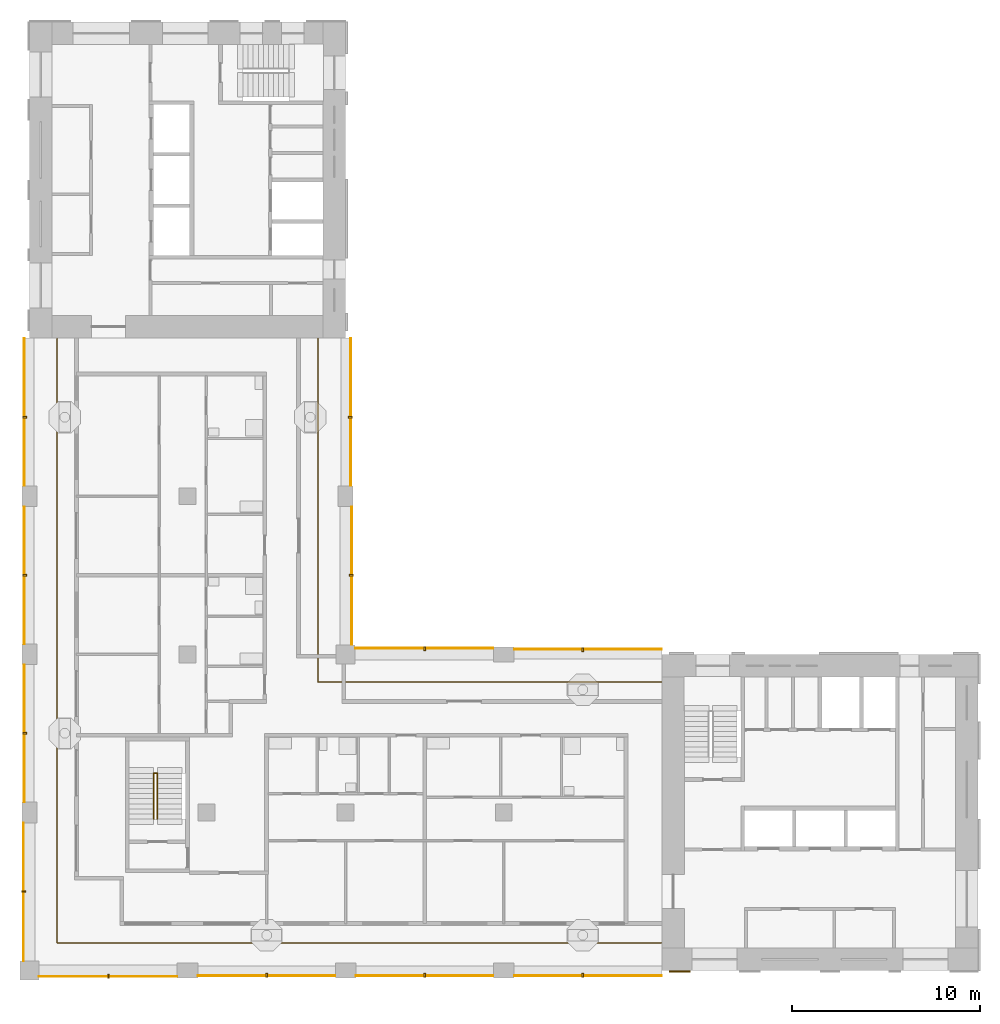
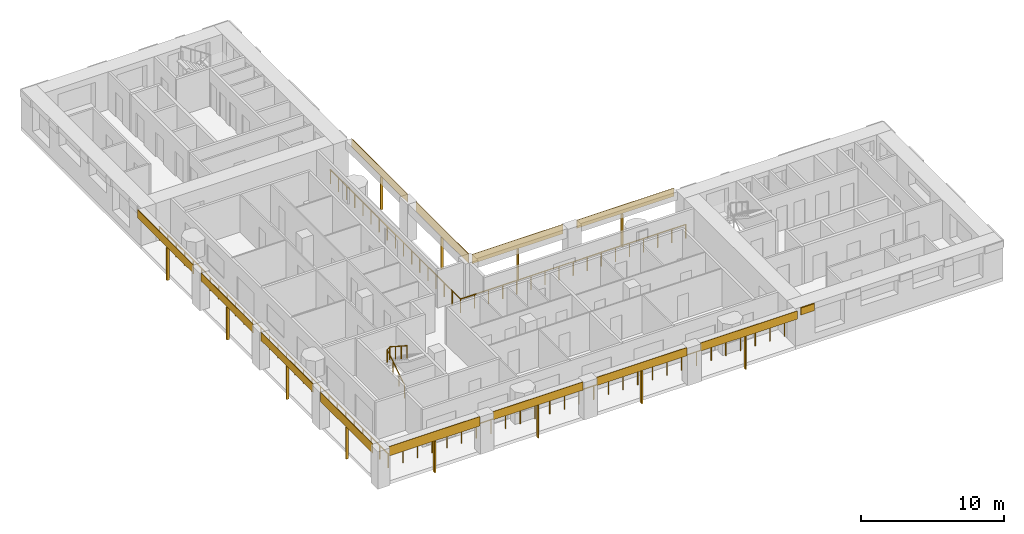
# One storey, part 8 of 12: 25 shading devices, 3 railings.
"""IFC4 building model written with IfcOpenShell, lengths in metres."""

from ifc_helpers import new_model, si_unit, direction, frame, origin, origin_2d, place, context, subcontext, project, spatial, rectangle, circle, extrude, material, layer, layer_set, material_profile, profile_set, type_object, element, save


model = new_model("IFC4")

# Units and contexts
model_context = context("Model", 3, precision=1e-05, world=origin(), true_north=direction((0.0, 1.0)))
body_context = subcontext(model_context, "Body", "Model", "MODEL_VIEW")
ifc_project = project(units=[si_unit("LENGTHUNIT", "METRE"), si_unit("AREAUNIT", "SQUARE_METRE"), si_unit("VOLUMEUNIT", "CUBIC_METRE"), si_unit("PLANEANGLEUNIT", "RADIAN"), si_unit("MASSUNIT", "GRAM", prefix="KILO")], contexts=[model_context])

# Site, building, storey
site_placement = place(None, origin())
site = spatial("IfcSite", under=ifc_project, at=site_placement, CompositionType="ELEMENT")
building_placement = place(site_placement, origin())
building = spatial("IfcBuilding", under=site, at=building_placement, Name="Vermilion Gate Residences", CompositionType="ELEMENT")
storey_placement = place(building_placement, frame((0.0, 0.0, 221.199951171875)))
storey = spatial("IfcBuildingStorey", under=building, at=storey_placement, Name="L57", CompositionType="ELEMENT", Elevation=221.199951171875)

# Railings
ifc_material_1 = material(Name="Stainless steel and toughened glass", Category="steel")
railing_type_1 = type_object("IfcRailingType", Name="LOGGIA GUARD STEEL AND GLASS 1200", PredefinedType="GUARDRAIL", material=ifc_material_1)
railing_1_placement = place(storey_placement, frame((41.97802734375, 23.72509765625, 0.0)))
element("IfcRailing", 1, at=railing_1_placement, inside=storey, type_object=railing_type_1, Name="Loggia guard", PredefinedType="GUARDRAIL", context=body_context, shape_type="SweptSolid", body=[
    extrude(circle(Radius=0.030029296875, at=origin_2d()), frame((0.0, 0.0, 1.169921875), z_axis=(-1.0, 0.0, 0.0), x_axis=(0.0, -1.0, 0.0)), (0.0, 0.0, 1.0), 18.2529296875),
    extrude(circle(Radius=0.030029296875, at=origin_2d()), frame((-18.2529296875, 0.0, 1.169921875), z_axis=(0.0, 1.0, 0.0), x_axis=(-1.0, 0.0, 0.0)), (0.0, 0.0, 1.0), 18.2529296875),
    extrude(circle(Radius=0.02490234375, at=origin_2d()), origin(), (0.0, 0.0, 1.0), 1.139892578125),
    extrude(circle(Radius=0.02490234375, at=origin_2d()), frame((-1.140869140625, 0.0, 0.0)), (0.0, 0.0, 1.0), 1.139892578125),
    extrude(circle(Radius=0.02490234375, at=origin_2d()), frame((-2.28173828125, 0.0, 0.0)), (0.0, 0.0, 1.0), 1.139892578125),
    extrude(circle(Radius=0.02490234375, at=origin_2d()), frame((-3.42236328125, 0.0, 0.0)), (0.0, 0.0, 1.0), 1.139892578125),
    extrude(circle(Radius=0.02490234375, at=origin_2d()), frame((-4.563232421875, 0.0, 0.0)), (0.0, 0.0, 1.0), 1.139892578125),
    extrude(circle(Radius=0.02490234375, at=origin_2d()), frame((-5.7041015625, 0.0, 0.0)), (0.0, 0.0, 1.0), 1.139892578125),
    extrude(circle(Radius=0.02490234375, at=origin_2d()), frame((-6.8447265625, 0.0, 0.0)), (0.0, 0.0, 1.0), 1.139892578125),
    extrude(circle(Radius=0.02490234375, at=origin_2d()), frame((-7.985595703125, 0.0, 0.0)), (0.0, 0.0, 1.0), 1.139892578125),
    extrude(circle(Radius=0.02490234375, at=origin_2d()), frame((-9.12646484375, 0.0, 0.0)), (0.0, 0.0, 1.0), 1.139892578125),
    extrude(circle(Radius=0.02490234375, at=origin_2d()), frame((-10.267333984375, 0.0, 0.0)), (0.0, 0.0, 1.0), 1.139892578125),
    extrude(circle(Radius=0.02490234375, at=origin_2d()), frame((-11.408203125, 0.0, 0.0)), (0.0, 0.0, 1.0), 1.139892578125),
    extrude(circle(Radius=0.02490234375, at=origin_2d()), frame((-12.548828125, 0.0, 0.0)), (0.0, 0.0, 1.0), 1.139892578125),
    extrude(circle(Radius=0.02490234375, at=origin_2d()), frame((-13.689697265625, 0.0, 0.0)), (0.0, 0.0, 1.0), 1.139892578125),
    extrude(circle(Radius=0.02490234375, at=origin_2d()), frame((-14.83056640625, 0.0, 0.0)), (0.0, 0.0, 1.0), 1.139892578125),
    extrude(circle(Radius=0.02490234375, at=origin_2d()), frame((-15.97119140625, 0.0, 0.0)), (0.0, 0.0, 1.0), 1.139892578125),
    extrude(circle(Radius=0.02490234375, at=origin_2d()), frame((-17.112060546875, 0.0, 0.0)), (0.0, 0.0, 1.0), 1.139892578125),
    extrude(circle(Radius=0.02490234375, at=origin_2d()), frame((-18.2529296875, 0.0, 0.0)), (0.0, 0.0, 1.0), 1.139892578125),
    extrude(circle(Radius=0.02490234375, at=origin_2d()), frame((-18.2529296875, 1.140869140625, 0.0)), (0.0, 0.0, 1.0), 1.139892578125),
    extrude(circle(Radius=0.02490234375, at=origin_2d()), frame((-18.2529296875, 2.28173828125, 0.0)), (0.0, 0.0, 1.0), 1.139892578125),
    extrude(circle(Radius=0.02490234375, at=origin_2d()), frame((-18.2529296875, 3.42236328125, 0.0)), (0.0, 0.0, 1.0), 1.139892578125),
    extrude(circle(Radius=0.02490234375, at=origin_2d()), frame((-18.2529296875, 4.563232421875, 0.0)), (0.0, 0.0, 1.0), 1.139892578125),
    extrude(circle(Radius=0.02490234375, at=origin_2d()), frame((-18.2529296875, 5.7041015625, 0.0)), (0.0, 0.0, 1.0), 1.139892578125),
    extrude(circle(Radius=0.02490234375, at=origin_2d()), frame((-18.2529296875, 6.8447265625, 0.0)), (0.0, 0.0, 1.0), 1.139892578125),
    extrude(circle(Radius=0.02490234375, at=origin_2d()), frame((-18.2529296875, 7.985595703125, 0.0)), (0.0, 0.0, 1.0), 1.139892578125),
    extrude(circle(Radius=0.02490234375, at=origin_2d()), frame((-18.2529296875, 9.12646484375, 0.0)), (0.0, 0.0, 1.0), 1.139892578125),
    extrude(circle(Radius=0.02490234375, at=origin_2d()), frame((-18.2529296875, 10.267333984375, 0.0)), (0.0, 0.0, 1.0), 1.139892578125),
    extrude(circle(Radius=0.02490234375, at=origin_2d()), frame((-18.2529296875, 11.408203125, 0.0)), (0.0, 0.0, 1.0), 1.139892578125),
    extrude(circle(Radius=0.02490234375, at=origin_2d()), frame((-18.2529296875, 12.548828125, 0.0)), (0.0, 0.0, 1.0), 1.139892578125),
    extrude(circle(Radius=0.02490234375, at=origin_2d()), frame((-18.2529296875, 13.689697265625, 0.0)), (0.0, 0.0, 1.0), 1.139892578125),
    extrude(circle(Radius=0.02490234375, at=origin_2d()), frame((-18.2529296875, 14.83056640625, 0.0)), (0.0, 0.0, 1.0), 1.139892578125),
    extrude(circle(Radius=0.02490234375, at=origin_2d()), frame((-18.2529296875, 15.97119140625, 0.0)), (0.0, 0.0, 1.0), 1.139892578125),
    extrude(circle(Radius=0.02490234375, at=origin_2d()), frame((-18.2529296875, 17.112060546875, 0.0)), (0.0, 0.0, 1.0), 1.139892578125),
    extrude(circle(Radius=0.02490234375, at=origin_2d()), frame((-18.2529296875, 18.2529296875, 0.0)), (0.0, 0.0, 1.0), 1.139892578125),
])
railing_2_placement = place(storey_placement, frame((9.875, 41.97802734375, 0.0)))
element("IfcRailing", 2, at=railing_2_placement, inside=storey, type_object=railing_type_1, Name="Loggia guard", PredefinedType="GUARDRAIL", context=body_context, shape_type="SweptSolid", body=[
    extrude(circle(Radius=0.030029296875, at=origin_2d()), frame((0.0, 0.0, 1.169921875), z_axis=(0.0, -1.0, 0.0), x_axis=(1.0, 0.0, 0.0)), (0.0, 0.0, 1.0), 32.10302734375),
    extrude(circle(Radius=0.030029296875, at=origin_2d()), frame((0.0, -32.10302734375, 1.169921875), z_axis=(1.0, 0.0, 0.0), x_axis=(0.0, 1.0, 0.0)), (0.0, 0.0, 1.0), 32.10302734375),
    extrude(circle(Radius=0.02490234375, at=origin_2d()), origin(), (0.0, 0.0, 1.0), 1.139892578125),
    extrude(circle(Radius=0.02490234375, at=origin_2d()), frame((0.0, -1.18896484375, 0.0)), (0.0, 0.0, 1.0), 1.139892578125),
    extrude(circle(Radius=0.02490234375, at=origin_2d()), frame((0.0, -2.3779296875, 0.0)), (0.0, 0.0, 1.0), 1.139892578125),
    extrude(circle(Radius=0.02490234375, at=origin_2d()), frame((0.0, -3.56689453125, 0.0)), (0.0, 0.0, 1.0), 1.139892578125),
    extrude(circle(Radius=0.02490234375, at=origin_2d()), frame((0.0, -4.756103515625, 0.0)), (0.0, 0.0, 1.0), 1.139892578125),
    extrude(circle(Radius=0.02490234375, at=origin_2d()), frame((0.0, -5.945068359375, 0.0)), (0.0, 0.0, 1.0), 1.139892578125),
    extrude(circle(Radius=0.02490234375, at=origin_2d()), frame((0.0, -7.134033203125, 0.0)), (0.0, 0.0, 1.0), 1.139892578125),
    extrude(circle(Radius=0.02490234375, at=origin_2d()), frame((0.0, -8.322998046875, 0.0)), (0.0, 0.0, 1.0), 1.139892578125),
    extrude(circle(Radius=0.02490234375, at=origin_2d()), frame((0.0, -9.511962890625, 0.0)), (0.0, 0.0, 1.0), 1.139892578125),
    extrude(circle(Radius=0.02490234375, at=origin_2d()), frame((0.0, -10.700927734375, 0.0)), (0.0, 0.0, 1.0), 1.139892578125),
    extrude(circle(Radius=0.02490234375, at=origin_2d()), frame((0.0, -11.889892578125, 0.0)), (0.0, 0.0, 1.0), 1.139892578125),
    extrude(circle(Radius=0.02490234375, at=origin_2d()), frame((0.0, -13.0791015625, 0.0)), (0.0, 0.0, 1.0), 1.139892578125),
    extrude(circle(Radius=0.02490234375, at=origin_2d()), frame((0.0, -14.26806640625, 0.0)), (0.0, 0.0, 1.0), 1.139892578125),
    extrude(circle(Radius=0.02490234375, at=origin_2d()), frame((0.0, -15.45703125, 0.0)), (0.0, 0.0, 1.0), 1.139892578125),
    extrude(circle(Radius=0.02490234375, at=origin_2d()), frame((0.0, -16.64599609375, 0.0)), (0.0, 0.0, 1.0), 1.139892578125),
    extrude(circle(Radius=0.02490234375, at=origin_2d()), frame((0.0, -17.8349609375, 0.0)), (0.0, 0.0, 1.0), 1.139892578125),
    extrude(circle(Radius=0.02490234375, at=origin_2d()), frame((0.0, -19.02392578125, 0.0)), (0.0, 0.0, 1.0), 1.139892578125),
    extrude(circle(Radius=0.02490234375, at=origin_2d()), frame((0.0, -20.213134765625, 0.0)), (0.0, 0.0, 1.0), 1.139892578125),
    extrude(circle(Radius=0.02490234375, at=origin_2d()), frame((0.0, -21.402099609375, 0.0)), (0.0, 0.0, 1.0), 1.139892578125),
    extrude(circle(Radius=0.02490234375, at=origin_2d()), frame((0.0, -22.591064453125, 0.0)), (0.0, 0.0, 1.0), 1.139892578125),
    extrude(circle(Radius=0.02490234375, at=origin_2d()), frame((0.0, -23.780029296875, 0.0)), (0.0, 0.0, 1.0), 1.139892578125),
    extrude(circle(Radius=0.02490234375, at=origin_2d()), frame((0.0, -24.968994140625, 0.0)), (0.0, 0.0, 1.0), 1.139892578125),
    extrude(circle(Radius=0.02490234375, at=origin_2d()), frame((0.0, -26.157958984375, 0.0)), (0.0, 0.0, 1.0), 1.139892578125),
    extrude(circle(Radius=0.02490234375, at=origin_2d()), frame((0.0, -27.346923828125, 0.0)), (0.0, 0.0, 1.0), 1.139892578125),
    extrude(circle(Radius=0.02490234375, at=origin_2d()), frame((0.0, -28.5361328125, 0.0)), (0.0, 0.0, 1.0), 1.139892578125),
    extrude(circle(Radius=0.02490234375, at=origin_2d()), frame((0.0, -29.72509765625, 0.0)), (0.0, 0.0, 1.0), 1.139892578125),
    extrude(circle(Radius=0.02490234375, at=origin_2d()), frame((0.0, -30.9140625, 0.0)), (0.0, 0.0, 1.0), 1.139892578125),
    extrude(circle(Radius=0.02490234375, at=origin_2d()), frame((0.0, -32.10302734375, 0.0)), (0.0, 0.0, 1.0), 1.139892578125),
    extrude(circle(Radius=0.02490234375, at=origin_2d()), frame((1.18896484375, -32.10302734375, 0.0)), (0.0, 0.0, 1.0), 1.139892578125),
    extrude(circle(Radius=0.02490234375, at=origin_2d()), frame((2.3779296875, -32.10302734375, 0.0)), (0.0, 0.0, 1.0), 1.139892578125),
    extrude(circle(Radius=0.02490234375, at=origin_2d()), frame((3.56689453125, -32.10302734375, 0.0)), (0.0, 0.0, 1.0), 1.139892578125),
    extrude(circle(Radius=0.02490234375, at=origin_2d()), frame((4.756103515625, -32.10302734375, 0.0)), (0.0, 0.0, 1.0), 1.139892578125),
    extrude(circle(Radius=0.02490234375, at=origin_2d()), frame((5.945068359375, -32.10302734375, 0.0)), (0.0, 0.0, 1.0), 1.139892578125),
    extrude(circle(Radius=0.02490234375, at=origin_2d()), frame((7.134033203125, -32.10302734375, 0.0)), (0.0, 0.0, 1.0), 1.139892578125),
    extrude(circle(Radius=0.02490234375, at=origin_2d()), frame((8.322998046875, -32.10302734375, 0.0)), (0.0, 0.0, 1.0), 1.139892578125),
    extrude(circle(Radius=0.02490234375, at=origin_2d()), frame((9.511962890625, -32.10302734375, 0.0)), (0.0, 0.0, 1.0), 1.139892578125),
    extrude(circle(Radius=0.02490234375, at=origin_2d()), frame((10.700927734375, -32.10302734375, 0.0)), (0.0, 0.0, 1.0), 1.139892578125),
    extrude(circle(Radius=0.02490234375, at=origin_2d()), frame((11.889892578125, -32.10302734375, 0.0)), (0.0, 0.0, 1.0), 1.139892578125),
    extrude(circle(Radius=0.02490234375, at=origin_2d()), frame((13.0791015625, -32.10302734375, 0.0)), (0.0, 0.0, 1.0), 1.139892578125),
    extrude(circle(Radius=0.02490234375, at=origin_2d()), frame((14.26806640625, -32.10302734375, 0.0)), (0.0, 0.0, 1.0), 1.139892578125),
    extrude(circle(Radius=0.02490234375, at=origin_2d()), frame((15.45703125, -32.10302734375, 0.0)), (0.0, 0.0, 1.0), 1.139892578125),
    extrude(circle(Radius=0.02490234375, at=origin_2d()), frame((16.64599609375, -32.10302734375, 0.0)), (0.0, 0.0, 1.0), 1.139892578125),
    extrude(circle(Radius=0.02490234375, at=origin_2d()), frame((17.8349609375, -32.10302734375, 0.0)), (0.0, 0.0, 1.0), 1.139892578125),
    extrude(circle(Radius=0.02490234375, at=origin_2d()), frame((19.02392578125, -32.10302734375, 0.0)), (0.0, 0.0, 1.0), 1.139892578125),
    extrude(circle(Radius=0.02490234375, at=origin_2d()), frame((20.213134765625, -32.10302734375, 0.0)), (0.0, 0.0, 1.0), 1.139892578125),
    extrude(circle(Radius=0.02490234375, at=origin_2d()), frame((21.402099609375, -32.10302734375, 0.0)), (0.0, 0.0, 1.0), 1.139892578125),
    extrude(circle(Radius=0.02490234375, at=origin_2d()), frame((22.591064453125, -32.10302734375, 0.0)), (0.0, 0.0, 1.0), 1.139892578125),
    extrude(circle(Radius=0.02490234375, at=origin_2d()), frame((23.780029296875, -32.10302734375, 0.0)), (0.0, 0.0, 1.0), 1.139892578125),
    extrude(circle(Radius=0.02490234375, at=origin_2d()), frame((24.968994140625, -32.10302734375, 0.0)), (0.0, 0.0, 1.0), 1.139892578125),
    extrude(circle(Radius=0.02490234375, at=origin_2d()), frame((26.157958984375, -32.10302734375, 0.0)), (0.0, 0.0, 1.0), 1.139892578125),
    extrude(circle(Radius=0.02490234375, at=origin_2d()), frame((27.346923828125, -32.10302734375, 0.0)), (0.0, 0.0, 1.0), 1.139892578125),
    extrude(circle(Radius=0.02490234375, at=origin_2d()), frame((28.5361328125, -32.10302734375, 0.0)), (0.0, 0.0, 1.0), 1.139892578125),
    extrude(circle(Radius=0.02490234375, at=origin_2d()), frame((29.72509765625, -32.10302734375, 0.0)), (0.0, 0.0, 1.0), 1.139892578125),
    extrude(circle(Radius=0.02490234375, at=origin_2d()), frame((30.9140625, -32.10302734375, 0.0)), (0.0, 0.0, 1.0), 1.139892578125),
    extrude(circle(Radius=0.02490234375, at=origin_2d()), frame((32.10302734375, -32.10302734375, 0.0)), (0.0, 0.0, 1.0), 1.139892578125),
])

# Shading devices
ifc_material_2 = material(Name="Perforated terracotta", Category="masonry")
ifc_layer_1 = layer(ifc_material_2, 0.0400390625)
ifc_layer_set_1 = layer_set([ifc_layer_1], Name="PERFORATED TERRACOTTA SCREEN 40")
shading_device_type_1 = type_object("IfcShadingDeviceType", Name="PERFORATED TERRACOTTA SCREEN 40", PredefinedType="SHUTTER", material=ifc_layer_set_1)
shading_device_1_placement = place(storey_placement, frame((12.574951171875, 8.080078125, 2.419921875), z_axis=(0.0, 0.0, 1.0), x_axis=(1.0, 0.0, 0.0)))
element("IfcShadingDevice", 3, at=shading_device_1_placement, inside=storey, type_object=shading_device_type_1, Name="SCREEN", PredefinedType="SHUTTER", context=body_context, shape_type="SweptSolid", body=[
    extrude(rectangle(XDim=7.35009765625, YDim=0.0400390625, at=origin_2d()), origin(), (0.0, 0.0, 1.0), 0.800048828125),
])
for number, where, z_axis, x_axis, name in (
    (4, (21.0, 8.1298828125, 2.52001953125), (0.0, 0.0, 1.0), (1.0, 0.0, 0.0), "SCREEN"),
    (5, (29.39990234375, 8.1298828125, 2.52001953125), (0.0, 0.0, 1.0), (1.0, 0.0, 0.0), "SCREEN"),
):
    element("IfcShadingDevice", number, at=place(storey_placement, frame(where, z_axis=z_axis, x_axis=x_axis)), inside=storey, type_object=shading_device_type_1, Name=name, PredefinedType="SHUTTER", context=body_context, shape_type="SweptSolid", body=[
        extrude(rectangle(XDim=7.300048828125, YDim=0.0400390625, at=origin_2d()), origin(), (0.0, 0.0, 1.0), 0.699951171875),
    ])
shading_device_2_placement = place(storey_placement, frame((38.074951171875, 8.1298828125, 2.52001953125), z_axis=(0.0, 0.0, 1.0), x_axis=(1.0, 0.0, 0.0)))
element("IfcShadingDevice", 6, at=shading_device_2_placement, inside=storey, type_object=shading_device_type_1, Name="SCREEN", PredefinedType="SHUTTER", context=body_context, shape_type="SweptSolid", body=[
    extrude(rectangle(XDim=7.85009765625, YDim=0.0400390625, at=origin_2d()), origin(), (0.0, 0.0, 1.0), 0.699951171875),
])
shading_device_3_placement = place(storey_placement, frame((29.375, 25.52001953125, 2.419921875), z_axis=(0.0, 0.0, 1.0), x_axis=(-1.0, 0.0, 0.0)))
element("IfcShadingDevice", 7, at=shading_device_3_placement, inside=storey, type_object=shading_device_type_1, Name="SCREEN", PredefinedType="SHUTTER", context=body_context, shape_type="SweptSolid", body=[
    extrude(rectangle(XDim=7.35009765625, YDim=0.0400390625, at=origin_2d()), origin(), (0.0, 0.0, 1.0), 0.800048828125),
])
shading_device_4_placement = place(storey_placement, frame((38.074951171875, 25.469970703125, 2.52001953125), z_axis=(0.0, 0.0, 1.0), x_axis=(-1.0, 0.0, 0.0)))
element("IfcShadingDevice", 8, at=shading_device_4_placement, inside=storey, type_object=shading_device_type_1, Name="SCREEN", PredefinedType="SHUTTER", context=body_context, shape_type="SweptSolid", body=[
    extrude(rectangle(XDim=7.85009765625, YDim=0.0400390625, at=origin_2d()), origin(), (0.0, 0.0, 1.0), 0.699951171875),
])
shading_device_5_placement = place(storey_placement, frame((25.52001953125, 29.375, 2.419921875), z_axis=(0.0, 0.0, 1.0), x_axis=(0.0, 1.0, 0.0)))
element("IfcShadingDevice", 9, at=shading_device_5_placement, inside=storey, type_object=shading_device_type_1, Name="SCREEN", PredefinedType="SHUTTER", context=body_context, shape_type="SweptSolid", body=[
    extrude(rectangle(XDim=7.35009765625, YDim=0.0400390625, at=origin_2d()), origin(), (0.0, 0.0, 1.0), 0.800048828125),
])
shading_device_6_placement = place(storey_placement, frame((25.469970703125, 38.074951171875, 2.52001953125), z_axis=(0.0, 0.0, 1.0), x_axis=(0.0, 1.0, 0.0)))
element("IfcShadingDevice", 10, at=shading_device_6_placement, inside=storey, type_object=shading_device_type_1, Name="SCREEN", PredefinedType="SHUTTER", context=body_context, shape_type="SweptSolid", body=[
    extrude(rectangle(XDim=7.85009765625, YDim=0.0400390625, at=origin_2d()), origin(), (0.0, 0.0, 1.0), 0.699951171875),
])
shading_device_7_placement = place(storey_placement, frame((8.080078125, 12.574951171875, 2.419921875), z_axis=(0.0, 0.0, 1.0), x_axis=(0.0, -1.0, 0.0)))
element("IfcShadingDevice", 11, at=shading_device_7_placement, inside=storey, type_object=shading_device_type_1, Name="SCREEN", PredefinedType="SHUTTER", context=body_context, shape_type="SweptSolid", body=[
    extrude(rectangle(XDim=7.35009765625, YDim=0.0400390625, at=origin_2d()), origin(), (0.0, 0.0, 1.0), 0.800048828125),
])
for number, where, z_axis, x_axis, name in (
    (12, (8.1298828125, 21.0, 2.52001953125), (0.0, 0.0, 1.0), (0.0, -1.0, 0.0), "SCREEN"),
    (13, (8.1298828125, 29.39990234375, 2.52001953125), (0.0, 0.0, 1.0), (0.0, -1.0, 0.0), "SCREEN"),
):
    element("IfcShadingDevice", number, at=place(storey_placement, frame(where, z_axis=z_axis, x_axis=x_axis)), inside=storey, type_object=shading_device_type_1, Name=name, PredefinedType="SHUTTER", context=body_context, shape_type="SweptSolid", body=[
        extrude(rectangle(XDim=7.300048828125, YDim=0.0400390625, at=origin_2d()), origin(), (0.0, 0.0, 1.0), 0.699951171875),
    ])
shading_device_8_placement = place(storey_placement, frame((8.1298828125, 38.074951171875, 2.52001953125), z_axis=(0.0, 0.0, 1.0), x_axis=(0.0, -1.0, 0.0)))
element("IfcShadingDevice", 14, at=shading_device_8_placement, inside=storey, type_object=shading_device_type_1, Name="SCREEN", PredefinedType="SHUTTER", context=body_context, shape_type="SweptSolid", body=[
    extrude(rectangle(XDim=7.85009765625, YDim=0.0400390625, at=origin_2d()), origin(), (0.0, 0.0, 1.0), 0.699951171875),
])

# Railing
ifc_material_3 = material(Name="Steel S355", Category="steel")
railing_type_2 = type_object("IfcRailingType", Name="STAIR GUARD 1100 STEEL", PredefinedType="GUARDRAIL", material=ifc_material_3)
railing_3_placement = place(storey_placement, frame((15.0, 16.449951171875, 0.175048828125)))
element("IfcRailing", 15, at=railing_3_placement, inside=storey, type_object=railing_type_2, Name="Stair well guard STC1-57", PredefinedType="GUARDRAIL", context=body_context, shape_type="SweptSolid", body=[
    extrude(circle(Radius=0.02392578125, at=origin_2d()), frame((0.0, 0.0, 1.076171875), z_axis=(0.0, 0.839153699163, 0.543894354798), x_axis=(-1.0, 0.0, 0.0)), (0.0, 0.0, 1.0), 2.895751953125),
    extrude(circle(Radius=0.02392578125, at=origin_2d()), frame((0.0, 2.429931640625, 2.65087890625), z_axis=(0.752405939678, 0.0, 0.658699705433), x_axis=(0.0, 1.0, 0.0)), (0.0, 0.0, 1.0), 0.265869140625),
    extrude(circle(Radius=0.02392578125, at=origin_2d()), frame((0.199951171875, 2.429931640625, 2.826171875), z_axis=(0.0, -0.839153699163, 0.543894354798), x_axis=(1.0, 0.0, 0.0)), (0.0, 0.0, 1.0), 2.895751953125),
    extrude(circle(Radius=0.02099609375, at=origin_2d()), origin(), (0.0, 0.0, 1.0), 1.052001953125),
    extrude(circle(Radius=0.02099609375, at=origin_2d()), frame((0.0, 0.81005859375, 0.52490234375)), (0.0, 0.0, 1.0), 1.052001953125),
    extrude(circle(Radius=0.02099609375, at=origin_2d()), frame((0.0, 1.619873046875, 1.050048828125)), (0.0, 0.0, 1.0), 1.052001953125),
    extrude(circle(Radius=0.02099609375, at=origin_2d()), frame((0.0, 2.429931640625, 1.574951171875)), (0.0, 0.0, 1.0), 1.052001953125),
    extrude(circle(Radius=0.02099609375, at=origin_2d()), frame((0.199951171875, 2.429931640625, 1.75)), (0.0, 0.0, 1.0), 1.052001953125),
    extrude(circle(Radius=0.02099609375, at=origin_2d()), frame((0.199951171875, 1.619873046875, 2.27490234375)), (0.0, 0.0, 1.0), 1.052001953125),
    extrude(circle(Radius=0.02099609375, at=origin_2d()), frame((0.199951171875, 0.81005859375, 2.800048828125)), (0.0, 0.0, 1.0), 1.052001953125),
    extrude(circle(Radius=0.02099609375, at=origin_2d()), frame((0.199951171875, 0.0, 3.324951171875)), (0.0, 0.0, 1.0), 1.052001953125),
])

# Shading devices
ifc_material_4 = material(Name="Extruded terracotta", Category="masonry")
ifc_material_profile = material_profile(ifc_material_4, rectangle(XDim=0.199951171875, YDim=0.10009765625, at=origin_2d()), Name="BAGUETTE 100 X 200")
ifc_profile_set = profile_set([ifc_material_profile], Name="Extruded terracotta")
shading_device_type_2 = type_object("IfcShadingDeviceType", Name="TERRACOTTA BAGUETTE 100 X 200", PredefinedType="JALOUSIE", material=ifc_profile_set)
shading_device_9_placement = place(storey_placement, frame((12.60009765625, 8.10009765625, -0.280029296875), z_axis=(0.0, 0.0, 1.0), x_axis=(0.0, 1.0, 0.0)))
element("IfcShadingDevice", 16, at=shading_device_9_placement, inside=storey, type_object=shading_device_type_2, Name="BAGUETTE", PredefinedType="JALOUSIE", context=body_context, shape_type="SweptSolid", body=[
    extrude(rectangle(XDim=0.199951171875, YDim=0.10009765625, at=origin_2d()), origin(), (0.0, 0.0, 1.0), 2.7001953125),
])
for number, where, z_axis, x_axis, name in (
    (17, (21.0, 8.14990234375, -0.280029296875), (0.0, 0.0, 1.0), (0.0, 1.0, 0.0), "BAGUETTE"),
    (18, (29.39990234375, 8.14990234375, -0.280029296875), (0.0, 0.0, 1.0), (0.0, 1.0, 0.0), "BAGUETTE"),
    (19, (37.800048828125, 8.14990234375, -0.280029296875), (0.0, 0.0, 1.0), (0.0, 1.0, 0.0), "BAGUETTE"),
):
    element("IfcShadingDevice", number, at=place(storey_placement, frame(where, z_axis=z_axis, x_axis=x_axis)), inside=storey, type_object=shading_device_type_2, Name=name, PredefinedType="JALOUSIE", context=body_context, shape_type="SweptSolid", body=[
        extrude(rectangle(XDim=0.199951171875, YDim=0.10009765625, at=origin_2d()), origin(), (0.0, 0.0, 1.0), 2.800048828125),
    ])
shading_device_10_placement = place(storey_placement, frame((29.39990234375, 25.5, -0.280029296875), z_axis=(0.0, 0.0, 1.0), x_axis=(0.0, -1.0, 0.0)))
element("IfcShadingDevice", 20, at=shading_device_10_placement, inside=storey, type_object=shading_device_type_2, Name="BAGUETTE", PredefinedType="JALOUSIE", context=body_context, shape_type="SweptSolid", body=[
    extrude(rectangle(XDim=0.199951171875, YDim=0.10009765625, at=origin_2d()), origin(), (0.0, 0.0, 1.0), 2.7001953125),
])
shading_device_11_placement = place(storey_placement, frame((37.800048828125, 25.449951171875, -0.280029296875), z_axis=(0.0, 0.0, 1.0), x_axis=(0.0, -1.0, 0.0)))
element("IfcShadingDevice", 21, at=shading_device_11_placement, inside=storey, type_object=shading_device_type_2, Name="BAGUETTE", PredefinedType="JALOUSIE", context=body_context, shape_type="SweptSolid", body=[
    extrude(rectangle(XDim=0.199951171875, YDim=0.10009765625, at=origin_2d()), origin(), (0.0, 0.0, 1.0), 2.800048828125),
])
shading_device_12_placement = place(storey_placement, frame((25.5, 29.39990234375, -0.280029296875), z_axis=(0.0, 0.0, 1.0), x_axis=(-1.0, 0.0, 0.0)))
element("IfcShadingDevice", 22, at=shading_device_12_placement, inside=storey, type_object=shading_device_type_2, Name="BAGUETTE", PredefinedType="JALOUSIE", context=body_context, shape_type="SweptSolid", body=[
    extrude(rectangle(XDim=0.199951171875, YDim=0.10009765625, at=origin_2d()), origin(), (0.0, 0.0, 1.0), 2.7001953125),
])
shading_device_13_placement = place(storey_placement, frame((25.449951171875, 37.800048828125, -0.280029296875), z_axis=(0.0, 0.0, 1.0), x_axis=(-1.0, 0.0, 0.0)))
element("IfcShadingDevice", 23, at=shading_device_13_placement, inside=storey, type_object=shading_device_type_2, Name="BAGUETTE", PredefinedType="JALOUSIE", context=body_context, shape_type="SweptSolid", body=[
    extrude(rectangle(XDim=0.199951171875, YDim=0.10009765625, at=origin_2d()), origin(), (0.0, 0.0, 1.0), 2.800048828125),
])
shading_device_14_placement = place(storey_placement, frame((8.10009765625, 12.60009765625, -0.280029296875), z_axis=(0.0, 0.0, 1.0), x_axis=(1.0, 0.0, 0.0)))
element("IfcShadingDevice", 24, at=shading_device_14_placement, inside=storey, type_object=shading_device_type_2, Name="BAGUETTE", PredefinedType="JALOUSIE", context=body_context, shape_type="SweptSolid", body=[
    extrude(rectangle(XDim=0.199951171875, YDim=0.10009765625, at=origin_2d()), origin(), (0.0, 0.0, 1.0), 2.7001953125),
])
for number, where, z_axis, x_axis, name in (
    (25, (8.14990234375, 21.0, -0.280029296875), (0.0, 0.0, 1.0), (1.0, 0.0, 0.0), "BAGUETTE"),
    (26, (8.14990234375, 29.39990234375, -0.280029296875), (0.0, 0.0, 1.0), (1.0, 0.0, 0.0), "BAGUETTE"),
    (27, (8.14990234375, 37.800048828125, -0.280029296875), (0.0, 0.0, 1.0), (1.0, 0.0, 0.0), "BAGUETTE"),
):
    element("IfcShadingDevice", number, at=place(storey_placement, frame(where, z_axis=z_axis, x_axis=x_axis)), inside=storey, type_object=shading_device_type_2, Name=name, PredefinedType="JALOUSIE", context=body_context, shape_type="SweptSolid", body=[
        extrude(rectangle(XDim=0.199951171875, YDim=0.10009765625, at=origin_2d()), origin(), (0.0, 0.0, 1.0), 2.800048828125),
    ])
ifc_material_5 = material(Name="Extruded terracotta", Category="masonry")
ifc_layer_2 = layer(ifc_material_5, 0.10009765625)
ifc_layer_set_2 = layer_set([ifc_layer_2], Name="TERRACOTTA SPANDREL BAND 600 X 100")
shading_device_type_3 = type_object("IfcShadingDeviceType", Name="TERRACOTTA SPANDREL BAND 600 X 100", PredefinedType="USERDEFINED", material=ifc_layer_set_2)
shading_device_15_placement = place(storey_placement, frame((42.949951171875, 8.35009765625, 2.6201171875), z_axis=(0.0, 0.0, 1.0), x_axis=(1.0, 0.0, 0.0)))
element("IfcShadingDevice", 28, at=shading_device_15_placement, inside=storey, type_object=shading_device_type_3, Name="SPANDREL BAND", ObjectType="BAND", PredefinedType="USERDEFINED", context=body_context, shape_type="SweptSolid", body=[
    extrude(rectangle(XDim=1.10009765625, YDim=0.10009765625, at=origin_2d()), origin(), (0.0, 0.0, 1.0), 0.60009765625),
])

save(model, "model.ifc")
